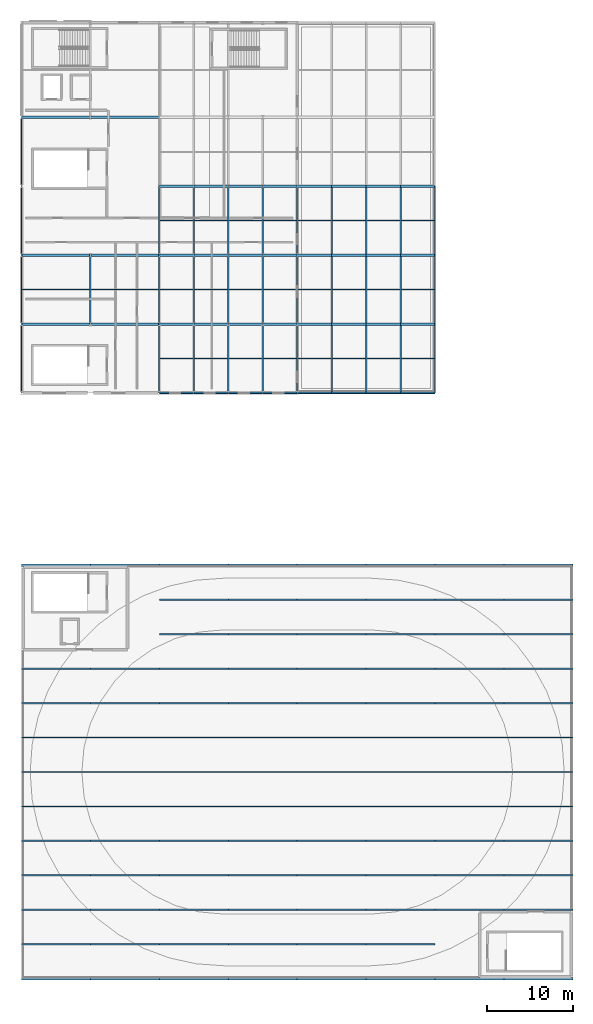
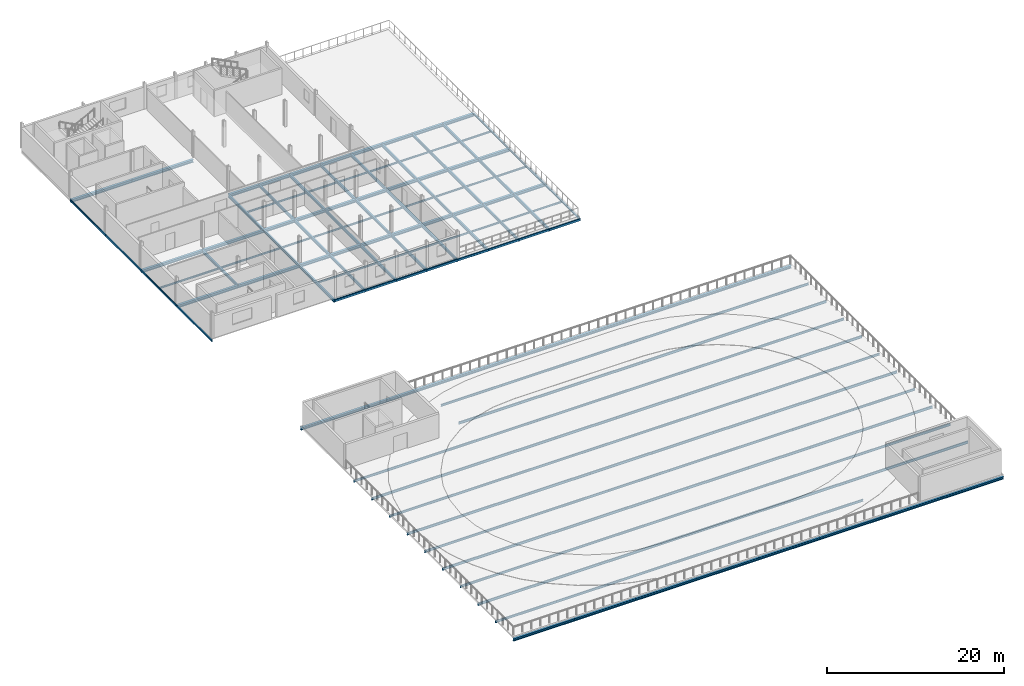
# One storey, part 3 of 11: 194 beams.
"""IFC4 building model written with IfcOpenShell, lengths in metres."""

from ifc_helpers import new_model, si_unit, derived_unit, direction, frame, origin, origin_2d, place, context, subcontext, project, spatial, hollow_rectangle, i_section, extrude, material, material_profile, profile_set, type_object, element, save


model = new_model("IFC4")

# Units and contexts
model_context = context("Model", 3, precision=1e-05, world=origin(), true_north=direction((0.0, 1.0)))
body_context = subcontext(model_context, "Body", "Model", "MODEL_VIEW")
ifc_project = project(units=[si_unit("LENGTHUNIT", "METRE"), si_unit("AREAUNIT", "SQUARE_METRE"), si_unit("VOLUMEUNIT", "CUBIC_METRE"), si_unit("PLANEANGLEUNIT", "RADIAN"), si_unit("MASSUNIT", "GRAM", prefix="KILO"), derived_unit("THERMALTRANSMITTANCEUNIT", [(si_unit("POWERUNIT", "WATT"), 1), (si_unit("LENGTHUNIT", "METRE"), -2), (si_unit("THERMODYNAMICTEMPERATUREUNIT", "KELVIN"), -1)])], contexts=[model_context])

# Site, building, storey
site_placement = place(None, origin())
site = spatial("IfcSite", under=ifc_project, at=site_placement, CompositionType="ELEMENT")
building_placement = place(site_placement, origin())
building = spatial("IfcBuilding", under=site, at=building_placement, Name="Keldorne Ridge Multi-Sports Centre", CompositionType="ELEMENT")
storey_placement = place(building_placement, frame((0.0, 0.0, 18.60009765625)))
storey = spatial("IfcBuildingStorey", under=building, at=storey_placement, Name="L04", CompositionType="ELEMENT", Elevation=18.60009765625)

# Beams
ifc_material = material(Name="Steel S355", Category="steel")
ifc_material_profile_1 = material_profile(ifc_material, i_section(OverallWidth=0.179931640625, OverallDepth=0.39990234375, WebThickness=0.008544921875, FlangeThickness=0.013427734375, FilletRadius=0.02099609375, at=origin_2d()), Name="IPE 400")
ifc_profile_set_1 = profile_set([ifc_material_profile_1], Name="Steel S355")
beam_type_1 = type_object("IfcBeamType", Name="BM-B-04", PredefinedType="BEAM", material=ifc_profile_set_1)
for number, where, z_axis, x_axis, name in (
    (1, (112.0, 82.0, -0.52001953125), (0.0, 1.0, 0.0), (-1.0, 0.0, 0.0), "L04 primary girder 112.2"),
    (2, (120.0, 74.0, -0.52001953125), (0.0, 1.0, 0.0), (-1.0, 0.0, 0.0), "L04 primary girder 120.1"),
    (3, (120.0, 82.0, -0.52001953125), (0.0, 1.0, 0.0), (-1.0, 0.0, 0.0), "L04 primary girder 120.2"),
    (4, (120.0, 90.0, -0.52001953125), (0.0, 1.0, 0.0), (-1.0, 0.0, 0.0), "L04 primary girder 120.3"),
    (5, (124.0, 74.0, -0.52001953125), (0.0, 1.0, 0.0), (-1.0, 0.0, 0.0), "L04 primary girder 124.1"),
    (6, (124.0, 82.0, -0.52001953125), (0.0, 1.0, 0.0), (-1.0, 0.0, 0.0), "L04 primary girder 124.2"),
    (7, (124.0, 90.0, -0.52001953125), (0.0, 1.0, 0.0), (-1.0, 0.0, 0.0), "L04 primary girder 124.3"),
    (8, (128.0, 74.0, -0.52001953125), (0.0, 1.0, 0.0), (-1.0, 0.0, 0.0), "L04 primary girder 128.1"),
    (9, (128.0, 82.0, -0.52001953125), (0.0, 1.0, 0.0), (-1.0, 0.0, 0.0), "L04 primary girder 128.2"),
    (10, (128.0, 90.0, -0.52001953125), (0.0, 1.0, 0.0), (-1.0, 0.0, 0.0), "L04 primary girder 128.3"),
    (11, (132.0, 74.0, -0.52001953125), (0.0, 1.0, 0.0), (-1.0, 0.0, 0.0), "L04 primary girder 132.1"),
    (12, (132.0, 82.0, -0.52001953125), (0.0, 1.0, 0.0), (-1.0, 0.0, 0.0), "L04 primary girder 132.2"),
    (13, (132.0, 90.0, -0.52001953125), (0.0, 1.0, 0.0), (-1.0, 0.0, 0.0), "L04 primary girder 132.3"),
    (14, (136.0, 74.0, -0.52001953125), (0.0, 1.0, 0.0), (-1.0, 0.0, 0.0), "L04 primary girder 136.1"),
    (15, (136.0, 82.0, -0.52001953125), (0.0, 1.0, 0.0), (-1.0, 0.0, 0.0), "L04 primary girder 136.2"),
    (16, (136.0, 90.0, -0.52001953125), (0.0, 1.0, 0.0), (-1.0, 0.0, 0.0), "L04 primary girder 136.3"),
    (17, (140.0, 74.0, -0.52001953125), (0.0, 1.0, 0.0), (-1.0, 0.0, 0.0), "L04 primary girder 140.1"),
    (18, (140.0, 82.0, -0.52001953125), (0.0, 1.0, 0.0), (-1.0, 0.0, 0.0), "L04 primary girder 140.2"),
    (19, (140.0, 90.0, -0.52001953125), (0.0, 1.0, 0.0), (-1.0, 0.0, 0.0), "L04 primary girder 140.3"),
    (20, (144.0, 74.0, -0.52001953125), (0.0, 1.0, 0.0), (-1.0, 0.0, 0.0), "L04 primary girder 144.1"),
    (21, (144.0, 82.0, -0.52001953125), (0.0, 1.0, 0.0), (-1.0, 0.0, 0.0), "L04 primary girder 144.2"),
    (22, (144.0, 90.0, -0.52001953125), (0.0, 1.0, 0.0), (-1.0, 0.0, 0.0), "L04 primary girder 144.3"),
    (23, (148.0, 74.0, -0.52001953125), (0.0, 1.0, 0.0), (-1.0, 0.0, 0.0), "L04 primary girder 148.1"),
    (24, (148.0, 82.0, -0.52001953125), (0.0, 1.0, 0.0), (-1.0, 0.0, 0.0), "L04 primary girder 148.2"),
    (25, (148.0, 90.0, -0.52001953125), (0.0, 1.0, 0.0), (-1.0, 0.0, 0.0), "L04 primary girder 148.3"),
):
    element("IfcBeam", number, at=place(storey_placement, frame(where, z_axis=z_axis, x_axis=x_axis)), inside=storey, type_object=beam_type_1, Name=name, PredefinedType="BEAM", context=body_context, shape_type="SweptSolid", body=[
        extrude(i_section(OverallWidth=0.179931640625, OverallDepth=0.39990234375, WebThickness=0.008544921875, FlangeThickness=0.013427734375, FilletRadius=0.02099609375, at=origin_2d()), origin(), (0.0, 0.0, 1.0), 8.0),
    ])
ifc_material_profile_2 = material_profile(ifc_material, i_section(OverallWidth=0.300048828125, OverallDepth=0.389892578125, WebThickness=0.010986328125, FlangeThickness=0.01904296875, FilletRadius=0.027099609375, at=origin_2d()), Name="HEA 400")
ifc_profile_set_2 = profile_set([ifc_material_profile_2], Name="Steel S355")
beam_type_2 = type_object("IfcBeamType", Name="BM-B-10", PredefinedType="BEAM", material=ifc_profile_set_2)
for number, where, z_axis, x_axis, name in (
    (26, (104.0, 82.0, -0.51513671875), (1.0, 0.0, 0.0), (0.0, 1.0, 0.0), "L04 primary beam 1.82"),
    (27, (112.0, 82.0, -0.51513671875), (1.0, 0.0, 0.0), (0.0, 1.0, 0.0), "L04 primary beam 2.82"),
):
    element("IfcBeam", number, at=place(storey_placement, frame(where, z_axis=z_axis, x_axis=x_axis)), inside=storey, type_object=beam_type_2, Name=name, PredefinedType="BEAM", context=body_context, shape_type="SweptSolid", body=[
        extrude(i_section(OverallWidth=0.300048828125, OverallDepth=0.389892578125, WebThickness=0.010986328125, FlangeThickness=0.01904296875, FilletRadius=0.027099609375, at=origin_2d()), origin(), (0.0, 0.0, 1.0), 8.0),
    ])
for number, where, z_axis, x_axis, name in (
    (28, (120.0, 82.0, -0.51513671875), (1.0, 0.0, 0.0), (0.0, 1.0, 0.0), "L04 primary beam 3.82"),
    (29, (124.0, 82.0, -0.51513671875), (1.0, 0.0, 0.0), (0.0, 1.0, 0.0), "L04 primary beam 4.82"),
    (30, (128.0, 82.0, -0.51513671875), (1.0, 0.0, 0.0), (0.0, 1.0, 0.0), "L04 primary beam 5.82"),
    (31, (132.0, 82.0, -0.51513671875), (1.0, 0.0, 0.0), (0.0, 1.0, 0.0), "L04 primary beam 6.82"),
    (32, (136.0, 82.0, -0.51513671875), (1.0, 0.0, 0.0), (0.0, 1.0, 0.0), "L04 primary beam 7.82"),
    (33, (140.0, 82.0, -0.51513671875), (1.0, 0.0, 0.0), (0.0, 1.0, 0.0), "L04 primary beam 8.82"),
    (34, (144.0, 82.0, -0.51513671875), (1.0, 0.0, 0.0), (0.0, 1.0, 0.0), "L04 primary beam 9.82"),
    (35, (148.0, 82.0, -0.51513671875), (1.0, 0.0, 0.0), (0.0, 1.0, 0.0), "L04 primary beam 10.82"),
):
    element("IfcBeam", number, at=place(storey_placement, frame(where, z_axis=z_axis, x_axis=x_axis)), inside=storey, type_object=beam_type_2, Name=name, PredefinedType="BEAM", context=body_context, shape_type="SweptSolid", body=[
        extrude(i_section(OverallWidth=0.300048828125, OverallDepth=0.389892578125, WebThickness=0.010986328125, FlangeThickness=0.01904296875, FilletRadius=0.027099609375, at=origin_2d()), origin(), (0.0, 0.0, 1.0), 4.0),
    ])
for number, where, z_axis, x_axis, name in (
    (36, (104.0, 90.0, -0.51513671875), (1.0, 0.0, 0.0), (0.0, 1.0, 0.0), "L04 primary beam 1.90"),
    (37, (112.0, 90.0, -0.51513671875), (1.0, 0.0, 0.0), (0.0, 1.0, 0.0), "L04 primary beam 2.90"),
):
    element("IfcBeam", number, at=place(storey_placement, frame(where, z_axis=z_axis, x_axis=x_axis)), inside=storey, type_object=beam_type_2, Name=name, PredefinedType="BEAM", context=body_context, shape_type="SweptSolid", body=[
        extrude(i_section(OverallWidth=0.300048828125, OverallDepth=0.389892578125, WebThickness=0.010986328125, FlangeThickness=0.01904296875, FilletRadius=0.027099609375, at=origin_2d()), origin(), (0.0, 0.0, 1.0), 8.0),
    ])
for number, where, z_axis, x_axis, name in (
    (38, (120.0, 90.0, -0.51513671875), (1.0, 0.0, 0.0), (0.0, 1.0, 0.0), "L04 primary beam 3.90"),
    (39, (124.0, 90.0, -0.51513671875), (1.0, 0.0, 0.0), (0.0, 1.0, 0.0), "L04 primary beam 4.90"),
    (40, (128.0, 90.0, -0.51513671875), (1.0, 0.0, 0.0), (0.0, 1.0, 0.0), "L04 primary beam 5.90"),
    (41, (132.0, 90.0, -0.51513671875), (1.0, 0.0, 0.0), (0.0, 1.0, 0.0), "L04 primary beam 6.90"),
    (42, (136.0, 90.0, -0.51513671875), (1.0, 0.0, 0.0), (0.0, 1.0, 0.0), "L04 primary beam 7.90"),
    (43, (140.0, 90.0, -0.51513671875), (1.0, 0.0, 0.0), (0.0, 1.0, 0.0), "L04 primary beam 8.90"),
    (44, (144.0, 90.0, -0.51513671875), (1.0, 0.0, 0.0), (0.0, 1.0, 0.0), "L04 primary beam 9.90"),
    (45, (148.0, 90.0, -0.51513671875), (1.0, 0.0, 0.0), (0.0, 1.0, 0.0), "L04 primary beam 10.90"),
    (46, (120.0, 98.0, -0.51513671875), (1.0, 0.0, 0.0), (0.0, 1.0, 0.0), "L04 primary beam 3.98"),
    (47, (124.0, 98.0, -0.51513671875), (1.0, 0.0, 0.0), (0.0, 1.0, 0.0), "L04 primary beam 4.98"),
    (48, (128.0, 98.0, -0.51513671875), (1.0, 0.0, 0.0), (0.0, 1.0, 0.0), "L04 primary beam 5.98"),
    (49, (132.0, 98.0, -0.51513671875), (1.0, 0.0, 0.0), (0.0, 1.0, 0.0), "L04 primary beam 6.98"),
    (50, (136.0, 98.0, -0.51513671875), (1.0, 0.0, 0.0), (0.0, 1.0, 0.0), "L04 primary beam 7.98"),
    (51, (140.0, 98.0, -0.51513671875), (1.0, 0.0, 0.0), (0.0, 1.0, 0.0), "L04 primary beam 8.98"),
    (52, (144.0, 98.0, -0.51513671875), (1.0, 0.0, 0.0), (0.0, 1.0, 0.0), "L04 primary beam 9.98"),
    (53, (148.0, 98.0, -0.51513671875), (1.0, 0.0, 0.0), (0.0, 1.0, 0.0), "L04 primary beam 10.98"),
):
    element("IfcBeam", number, at=place(storey_placement, frame(where, z_axis=z_axis, x_axis=x_axis)), inside=storey, type_object=beam_type_2, Name=name, PredefinedType="BEAM", context=body_context, shape_type="SweptSolid", body=[
        extrude(i_section(OverallWidth=0.300048828125, OverallDepth=0.389892578125, WebThickness=0.010986328125, FlangeThickness=0.01904296875, FilletRadius=0.027099609375, at=origin_2d()), origin(), (0.0, 0.0, 1.0), 4.0),
    ])
for number, where, z_axis, x_axis, name in (
    (54, (104.0, 106.0, -0.51513671875), (1.0, 0.0, 0.0), (0.0, 1.0, 0.0), "L04 primary beam 1.106"),
    (55, (112.0, 106.0, -0.51513671875), (1.0, 0.0, 0.0), (0.0, 1.0, 0.0), "L04 primary beam 2.106"),
):
    element("IfcBeam", number, at=place(storey_placement, frame(where, z_axis=z_axis, x_axis=x_axis)), inside=storey, type_object=beam_type_2, Name=name, PredefinedType="BEAM", context=body_context, shape_type="SweptSolid", body=[
        extrude(i_section(OverallWidth=0.300048828125, OverallDepth=0.389892578125, WebThickness=0.010986328125, FlangeThickness=0.01904296875, FilletRadius=0.027099609375, at=origin_2d()), origin(), (0.0, 0.0, 1.0), 8.0),
    ])
ifc_material_profile_3 = material_profile(ifc_material, i_section(OverallWidth=0.159912109375, OverallDepth=0.330078125, WebThickness=0.007568359375, FlangeThickness=0.011474609375, FilletRadius=0.01806640625, at=origin_2d()), Name="IPE 330")
ifc_profile_set_3 = profile_set([ifc_material_profile_3], Name="Steel S355")
beam_type_3 = type_object("IfcBeamType", Name="BM-J-01", PredefinedType="JOIST", material=ifc_profile_set_3)
for number, where, z_axis, x_axis, name in (
    (56, (104.0, 14.0, -0.405029296875), (1.0, 0.0, 0.0), (0.0, 1.0, 0.0), "L04 Stacked Courts beam 1.3"),
    (57, (104.0, 22.0, -0.405029296875), (1.0, 0.0, 0.0), (0.0, 1.0, 0.0), "L04 Stacked Courts beam 1.5"),
    (58, (104.0, 30.0, -0.405029296875), (1.0, 0.0, 0.0), (0.0, 1.0, 0.0), "L04 Stacked Courts beam 1.7"),
    (59, (104.0, 38.0, -0.405029296875), (1.0, 0.0, 0.0), (0.0, 1.0, 0.0), "L04 Stacked Courts beam 1.9"),
    (60, (112.0, 14.0, -0.405029296875), (1.0, 0.0, 0.0), (0.0, 1.0, 0.0), "L04 Stacked Courts beam 2.3"),
    (61, (112.0, 22.0, -0.405029296875), (1.0, 0.0, 0.0), (0.0, 1.0, 0.0), "L04 Stacked Courts beam 2.5"),
    (62, (112.0, 30.0, -0.405029296875), (1.0, 0.0, 0.0), (0.0, 1.0, 0.0), "L04 Stacked Courts beam 2.7"),
    (63, (112.0, 38.0, -0.405029296875), (1.0, 0.0, 0.0), (0.0, 1.0, 0.0), "L04 Stacked Courts beam 2.9"),
    (64, (120.0, 14.0, -0.405029296875), (1.0, 0.0, 0.0), (0.0, 1.0, 0.0), "L04 Stacked Courts beam 3.3"),
    (65, (120.0, 22.0, -0.405029296875), (1.0, 0.0, 0.0), (0.0, 1.0, 0.0), "L04 Stacked Courts beam 3.5"),
    (66, (120.0, 30.0, -0.405029296875), (1.0, 0.0, 0.0), (0.0, 1.0, 0.0), "L04 Stacked Courts beam 3.7"),
    (67, (120.0, 38.0, -0.405029296875), (1.0, 0.0, 0.0), (0.0, 1.0, 0.0), "L04 Stacked Courts beam 3.9"),
    (68, (120.0, 46.0, -0.405029296875), (1.0, 0.0, 0.0), (0.0, 1.0, 0.0), "L04 Stacked Courts beam 3.11"),
    (69, (128.0, 14.0, -0.405029296875), (1.0, 0.0, 0.0), (0.0, 1.0, 0.0), "L04 Stacked Courts beam 4.3"),
    (70, (128.0, 22.0, -0.405029296875), (1.0, 0.0, 0.0), (0.0, 1.0, 0.0), "L04 Stacked Courts beam 4.5"),
    (71, (128.0, 30.0, -0.405029296875), (1.0, 0.0, 0.0), (0.0, 1.0, 0.0), "L04 Stacked Courts beam 4.7"),
    (72, (128.0, 38.0, -0.405029296875), (1.0, 0.0, 0.0), (0.0, 1.0, 0.0), "L04 Stacked Courts beam 4.9"),
    (73, (128.0, 46.0, -0.405029296875), (1.0, 0.0, 0.0), (0.0, 1.0, 0.0), "L04 Stacked Courts beam 4.11"),
    (74, (136.0, 14.0, -0.405029296875), (1.0, 0.0, 0.0), (0.0, 1.0, 0.0), "L04 Stacked Courts beam 5.3"),
    (75, (136.0, 22.0, -0.405029296875), (1.0, 0.0, 0.0), (0.0, 1.0, 0.0), "L04 Stacked Courts beam 5.5"),
    (76, (136.0, 30.0, -0.405029296875), (1.0, 0.0, 0.0), (0.0, 1.0, 0.0), "L04 Stacked Courts beam 5.7"),
    (77, (136.0, 38.0, -0.405029296875), (1.0, 0.0, 0.0), (0.0, 1.0, 0.0), "L04 Stacked Courts beam 5.9"),
    (78, (136.0, 46.0, -0.405029296875), (1.0, 0.0, 0.0), (0.0, 1.0, 0.0), "L04 Stacked Courts beam 5.11"),
    (79, (144.0, 14.0, -0.405029296875), (1.0, 0.0, 0.0), (0.0, 1.0, 0.0), "L04 Stacked Courts beam 6.3"),
    (80, (144.0, 22.0, -0.405029296875), (1.0, 0.0, 0.0), (0.0, 1.0, 0.0), "L04 Stacked Courts beam 6.5"),
    (81, (144.0, 30.0, -0.405029296875), (1.0, 0.0, 0.0), (0.0, 1.0, 0.0), "L04 Stacked Courts beam 6.7"),
    (82, (144.0, 38.0, -0.405029296875), (1.0, 0.0, 0.0), (0.0, 1.0, 0.0), "L04 Stacked Courts beam 6.9"),
    (83, (144.0, 46.0, -0.405029296875), (1.0, 0.0, 0.0), (0.0, 1.0, 0.0), "L04 Stacked Courts beam 6.11"),
    (84, (152.0, 14.0, -0.405029296875), (1.0, 0.0, 0.0), (0.0, 1.0, 0.0), "L04 Stacked Courts beam 7.3"),
    (85, (152.0, 22.0, -0.405029296875), (1.0, 0.0, 0.0), (0.0, 1.0, 0.0), "L04 Stacked Courts beam 7.5"),
    (86, (152.0, 30.0, -0.405029296875), (1.0, 0.0, 0.0), (0.0, 1.0, 0.0), "L04 Stacked Courts beam 7.7"),
    (87, (152.0, 38.0, -0.405029296875), (1.0, 0.0, 0.0), (0.0, 1.0, 0.0), "L04 Stacked Courts beam 7.9"),
    (88, (152.0, 46.0, -0.405029296875), (1.0, 0.0, 0.0), (0.0, 1.0, 0.0), "L04 Stacked Courts beam 7.11"),
    (89, (160.0, 14.0, -0.405029296875), (1.0, 0.0, 0.0), (0.0, 1.0, 0.0), "L04 Stacked Courts beam 8.3"),
    (90, (160.0, 22.0, -0.405029296875), (1.0, 0.0, 0.0), (0.0, 1.0, 0.0), "L04 Stacked Courts beam 8.5"),
    (91, (160.0, 30.0, -0.405029296875), (1.0, 0.0, 0.0), (0.0, 1.0, 0.0), "L04 Stacked Courts beam 8.7"),
    (92, (160.0, 38.0, -0.405029296875), (1.0, 0.0, 0.0), (0.0, 1.0, 0.0), "L04 Stacked Courts beam 8.9"),
    (93, (160.0, 46.0, -0.405029296875), (1.0, 0.0, 0.0), (0.0, 1.0, 0.0), "L04 Stacked Courts beam 8.11"),
):
    element("IfcBeam", number, at=place(storey_placement, frame(where, z_axis=z_axis, x_axis=x_axis)), inside=storey, type_object=beam_type_3, Name=name, PredefinedType="JOIST", context=body_context, shape_type="SweptSolid", body=[
        extrude(i_section(OverallWidth=0.159912109375, OverallDepth=0.330078125, WebThickness=0.007568359375, FlangeThickness=0.011474609375, FilletRadius=0.01806640625, at=origin_2d()), origin(), (0.0, 0.0, 1.0), 8.0),
    ])
ifc_material_profile_4 = material_profile(ifc_material, i_section(OverallWidth=0.14990234375, OverallDepth=0.300048828125, WebThickness=0.007080078125, FlangeThickness=0.0107421875, FilletRadius=0.014892578125, at=origin_2d()), Name="IPE 300")
ifc_profile_set_4 = profile_set([ifc_material_profile_4], Name="Steel S355")
beam_type_4 = type_object("IfcBeamType", Name="BM-J-02", PredefinedType="JOIST", material=ifc_profile_set_4)
for number, where, z_axis, x_axis, name in (
    (94, (104.0, 10.0, -0.39013671875), (1.0, 0.0, 0.0), (0.0, 1.0, 0.0), "L04 Stacked Courts beam 1.2"),
    (95, (104.0, 18.0, -0.39013671875), (1.0, 0.0, 0.0), (0.0, 1.0, 0.0), "L04 Stacked Courts beam 1.4"),
    (96, (104.0, 26.0, -0.39013671875), (1.0, 0.0, 0.0), (0.0, 1.0, 0.0), "L04 Stacked Courts beam 1.6"),
    (97, (104.0, 34.0, -0.39013671875), (1.0, 0.0, 0.0), (0.0, 1.0, 0.0), "L04 Stacked Courts beam 1.8"),
    (98, (104.0, 42.0, -0.39013671875), (1.0, 0.0, 0.0), (0.0, 1.0, 0.0), "L04 Stacked Courts beam 1.10"),
    (99, (112.0, 10.0, -0.39013671875), (1.0, 0.0, 0.0), (0.0, 1.0, 0.0), "L04 Stacked Courts beam 2.2"),
    (100, (112.0, 18.0, -0.39013671875), (1.0, 0.0, 0.0), (0.0, 1.0, 0.0), "L04 Stacked Courts beam 2.4"),
    (101, (112.0, 26.0, -0.39013671875), (1.0, 0.0, 0.0), (0.0, 1.0, 0.0), "L04 Stacked Courts beam 2.6"),
    (102, (112.0, 34.0, -0.39013671875), (1.0, 0.0, 0.0), (0.0, 1.0, 0.0), "L04 Stacked Courts beam 2.8"),
    (103, (112.0, 42.0, -0.39013671875), (1.0, 0.0, 0.0), (0.0, 1.0, 0.0), "L04 Stacked Courts beam 2.10"),
    (104, (120.0, 10.0, -0.39013671875), (1.0, 0.0, 0.0), (0.0, 1.0, 0.0), "L04 Stacked Courts beam 3.2"),
    (105, (120.0, 18.0, -0.39013671875), (1.0, 0.0, 0.0), (0.0, 1.0, 0.0), "L04 Stacked Courts beam 3.4"),
    (106, (120.0, 26.0, -0.39013671875), (1.0, 0.0, 0.0), (0.0, 1.0, 0.0), "L04 Stacked Courts beam 3.6"),
    (107, (120.0, 34.0, -0.39013671875), (1.0, 0.0, 0.0), (0.0, 1.0, 0.0), "L04 Stacked Courts beam 3.8"),
    (108, (120.0, 42.0, -0.39013671875), (1.0, 0.0, 0.0), (0.0, 1.0, 0.0), "L04 Stacked Courts beam 3.10"),
    (109, (120.0, 50.0, -0.39013671875), (1.0, 0.0, 0.0), (0.0, 1.0, 0.0), "L04 Stacked Courts beam 3.12"),
    (110, (128.0, 10.0, -0.39013671875), (1.0, 0.0, 0.0), (0.0, 1.0, 0.0), "L04 Stacked Courts beam 4.2"),
    (111, (128.0, 18.0, -0.39013671875), (1.0, 0.0, 0.0), (0.0, 1.0, 0.0), "L04 Stacked Courts beam 4.4"),
    (112, (128.0, 26.0, -0.39013671875), (1.0, 0.0, 0.0), (0.0, 1.0, 0.0), "L04 Stacked Courts beam 4.6"),
    (113, (128.0, 34.0, -0.39013671875), (1.0, 0.0, 0.0), (0.0, 1.0, 0.0), "L04 Stacked Courts beam 4.8"),
    (114, (128.0, 42.0, -0.39013671875), (1.0, 0.0, 0.0), (0.0, 1.0, 0.0), "L04 Stacked Courts beam 4.10"),
    (115, (128.0, 50.0, -0.39013671875), (1.0, 0.0, 0.0), (0.0, 1.0, 0.0), "L04 Stacked Courts beam 4.12"),
    (116, (136.0, 10.0, -0.39013671875), (1.0, 0.0, 0.0), (0.0, 1.0, 0.0), "L04 Stacked Courts beam 5.2"),
    (117, (136.0, 18.0, -0.39013671875), (1.0, 0.0, 0.0), (0.0, 1.0, 0.0), "L04 Stacked Courts beam 5.4"),
    (118, (136.0, 26.0, -0.39013671875), (1.0, 0.0, 0.0), (0.0, 1.0, 0.0), "L04 Stacked Courts beam 5.6"),
    (119, (136.0, 34.0, -0.39013671875), (1.0, 0.0, 0.0), (0.0, 1.0, 0.0), "L04 Stacked Courts beam 5.8"),
    (120, (136.0, 42.0, -0.39013671875), (1.0, 0.0, 0.0), (0.0, 1.0, 0.0), "L04 Stacked Courts beam 5.10"),
    (121, (136.0, 50.0, -0.39013671875), (1.0, 0.0, 0.0), (0.0, 1.0, 0.0), "L04 Stacked Courts beam 5.12"),
    (122, (144.0, 10.0, -0.39013671875), (1.0, 0.0, 0.0), (0.0, 1.0, 0.0), "L04 Stacked Courts beam 6.2"),
    (123, (144.0, 18.0, -0.39013671875), (1.0, 0.0, 0.0), (0.0, 1.0, 0.0), "L04 Stacked Courts beam 6.4"),
    (124, (144.0, 26.0, -0.39013671875), (1.0, 0.0, 0.0), (0.0, 1.0, 0.0), "L04 Stacked Courts beam 6.6"),
    (125, (144.0, 34.0, -0.39013671875), (1.0, 0.0, 0.0), (0.0, 1.0, 0.0), "L04 Stacked Courts beam 6.8"),
    (126, (144.0, 42.0, -0.39013671875), (1.0, 0.0, 0.0), (0.0, 1.0, 0.0), "L04 Stacked Courts beam 6.10"),
    (127, (144.0, 50.0, -0.39013671875), (1.0, 0.0, 0.0), (0.0, 1.0, 0.0), "L04 Stacked Courts beam 6.12"),
    (128, (152.0, 18.0, -0.39013671875), (1.0, 0.0, 0.0), (0.0, 1.0, 0.0), "L04 Stacked Courts beam 7.4"),
    (129, (152.0, 26.0, -0.39013671875), (1.0, 0.0, 0.0), (0.0, 1.0, 0.0), "L04 Stacked Courts beam 7.6"),
    (130, (152.0, 34.0, -0.39013671875), (1.0, 0.0, 0.0), (0.0, 1.0, 0.0), "L04 Stacked Courts beam 7.8"),
    (131, (152.0, 42.0, -0.39013671875), (1.0, 0.0, 0.0), (0.0, 1.0, 0.0), "L04 Stacked Courts beam 7.10"),
    (132, (152.0, 50.0, -0.39013671875), (1.0, 0.0, 0.0), (0.0, 1.0, 0.0), "L04 Stacked Courts beam 7.12"),
    (133, (160.0, 18.0, -0.39013671875), (1.0, 0.0, 0.0), (0.0, 1.0, 0.0), "L04 Stacked Courts beam 8.4"),
    (134, (160.0, 26.0, -0.39013671875), (1.0, 0.0, 0.0), (0.0, 1.0, 0.0), "L04 Stacked Courts beam 8.6"),
    (135, (160.0, 34.0, -0.39013671875), (1.0, 0.0, 0.0), (0.0, 1.0, 0.0), "L04 Stacked Courts beam 8.8"),
    (136, (160.0, 42.0, -0.39013671875), (1.0, 0.0, 0.0), (0.0, 1.0, 0.0), "L04 Stacked Courts beam 8.10"),
    (137, (160.0, 50.0, -0.39013671875), (1.0, 0.0, 0.0), (0.0, 1.0, 0.0), "L04 Stacked Courts beam 8.12"),
):
    element("IfcBeam", number, at=place(storey_placement, frame(where, z_axis=z_axis, x_axis=x_axis)), inside=storey, type_object=beam_type_4, Name=name, PredefinedType="JOIST", context=body_context, shape_type="SweptSolid", body=[
        extrude(i_section(OverallWidth=0.14990234375, OverallDepth=0.300048828125, WebThickness=0.007080078125, FlangeThickness=0.0107421875, FilletRadius=0.014892578125, at=origin_2d()), origin(), (0.0, 0.0, 1.0), 8.0),
    ])
ifc_material_profile_5 = material_profile(ifc_material, i_section(OverallWidth=0.1201171875, OverallDepth=0.239990234375, WebThickness=0.006103515625, FlangeThickness=0.009765625, FilletRadius=0.014892578125, at=origin_2d()), Name="IPE 240")
ifc_profile_set_5 = profile_set([ifc_material_profile_5], Name="Steel S355")
beam_type_5 = type_object("IfcBeamType", Name="BM-J-04", PredefinedType="JOIST", material=ifc_profile_set_5)
beam_1_placement = place(storey_placement, frame((104.074951171875, 86.0, -0.440185546875), z_axis=(1.0, 0.0, 0.0), x_axis=(0.0, 1.0, 0.0)))
element("IfcBeam", 138, at=beam_1_placement, inside=storey, type_object=beam_type_5, Name="L04 secondary joist 1.2", PredefinedType="JOIST", context=body_context, shape_type="SweptSolid", body=[
    extrude(i_section(OverallWidth=0.1201171875, OverallDepth=0.239990234375, WebThickness=0.006103515625, FlangeThickness=0.009765625, FilletRadius=0.014892578125, at=origin_2d()), origin(), (0.0, 0.0, 1.0), 7.8349609375),
])
beam_2_placement = place(storey_placement, frame((112.090087890625, 86.0, -0.440185546875), z_axis=(1.0, 0.0, 0.0), x_axis=(0.0, 1.0, 0.0)))
element("IfcBeam", 139, at=beam_2_placement, inside=storey, type_object=beam_type_5, Name="L04 secondary joist 2.2", PredefinedType="JOIST", context=body_context, shape_type="SweptSolid", body=[
    extrude(i_section(OverallWidth=0.1201171875, OverallDepth=0.239990234375, WebThickness=0.006103515625, FlangeThickness=0.009765625, FilletRadius=0.014892578125, at=origin_2d()), origin(), (0.0, 0.0, 1.0), 7.81982421875),
])
for number, where, z_axis, x_axis, name in (
    (140, (120.090087890625, 78.0, -0.440185546875), (1.0, 0.0, 0.0), (0.0, 1.0, 0.0), "L04 secondary joist 3.1"),
    (141, (120.090087890625, 86.0, -0.440185546875), (1.0, 0.0, 0.0), (0.0, 1.0, 0.0), "L04 secondary joist 3.2"),
    (142, (120.090087890625, 94.0, -0.440185546875), (1.0, 0.0, 0.0), (0.0, 1.0, 0.0), "L04 secondary joist 3.3"),
    (143, (124.090087890625, 78.0, -0.440185546875), (1.0, 0.0, 0.0), (0.0, 1.0, 0.0), "L04 secondary joist 4.1"),
    (144, (124.090087890625, 86.0, -0.440185546875), (1.0, 0.0, 0.0), (0.0, 1.0, 0.0), "L04 secondary joist 4.2"),
    (145, (124.090087890625, 94.0, -0.440185546875), (1.0, 0.0, 0.0), (0.0, 1.0, 0.0), "L04 secondary joist 4.3"),
    (146, (128.090087890625, 78.0, -0.440185546875), (1.0, 0.0, 0.0), (0.0, 1.0, 0.0), "L04 secondary joist 5.1"),
    (147, (128.090087890625, 86.0, -0.440185546875), (1.0, 0.0, 0.0), (0.0, 1.0, 0.0), "L04 secondary joist 5.2"),
    (148, (128.090087890625, 94.0, -0.440185546875), (1.0, 0.0, 0.0), (0.0, 1.0, 0.0), "L04 secondary joist 5.3"),
    (149, (132.090087890625, 78.0, -0.440185546875), (1.0, 0.0, 0.0), (0.0, 1.0, 0.0), "L04 secondary joist 6.1"),
    (150, (132.090087890625, 86.0, -0.440185546875), (1.0, 0.0, 0.0), (0.0, 1.0, 0.0), "L04 secondary joist 6.2"),
    (151, (132.090087890625, 94.0, -0.440185546875), (1.0, 0.0, 0.0), (0.0, 1.0, 0.0), "L04 secondary joist 6.3"),
    (152, (136.090087890625, 78.0, -0.440185546875), (1.0, 0.0, 0.0), (0.0, 1.0, 0.0), "L04 secondary joist 7.1"),
    (153, (136.090087890625, 86.0, -0.440185546875), (1.0, 0.0, 0.0), (0.0, 1.0, 0.0), "L04 secondary joist 7.2"),
    (154, (136.090087890625, 94.0, -0.440185546875), (1.0, 0.0, 0.0), (0.0, 1.0, 0.0), "L04 secondary joist 7.3"),
    (155, (140.090087890625, 78.0, -0.440185546875), (1.0, 0.0, 0.0), (0.0, 1.0, 0.0), "L04 secondary joist 8.1"),
    (156, (140.090087890625, 86.0, -0.440185546875), (1.0, 0.0, 0.0), (0.0, 1.0, 0.0), "L04 secondary joist 8.2"),
    (157, (140.090087890625, 94.0, -0.440185546875), (1.0, 0.0, 0.0), (0.0, 1.0, 0.0), "L04 secondary joist 8.3"),
    (158, (144.090087890625, 78.0, -0.440185546875), (1.0, 0.0, 0.0), (0.0, 1.0, 0.0), "L04 secondary joist 9.1"),
    (159, (144.090087890625, 86.0, -0.440185546875), (1.0, 0.0, 0.0), (0.0, 1.0, 0.0), "L04 secondary joist 9.2"),
    (160, (144.090087890625, 94.0, -0.440185546875), (1.0, 0.0, 0.0), (0.0, 1.0, 0.0), "L04 secondary joist 9.3"),
):
    element("IfcBeam", number, at=place(storey_placement, frame(where, z_axis=z_axis, x_axis=x_axis)), inside=storey, type_object=beam_type_5, Name=name, PredefinedType="JOIST", context=body_context, shape_type="SweptSolid", body=[
        extrude(i_section(OverallWidth=0.1201171875, OverallDepth=0.239990234375, WebThickness=0.006103515625, FlangeThickness=0.009765625, FilletRadius=0.014892578125, at=origin_2d()), origin(), (0.0, 0.0, 1.0), 3.81982421875),
    ])
for number, where, z_axis, x_axis, name in (
    (161, (148.090087890625, 78.0, -0.440185546875), (1.0, 0.0, 0.0), (0.0, 1.0, 0.0), "L04 secondary joist 10.1"),
    (162, (148.090087890625, 86.0, -0.440185546875), (1.0, 0.0, 0.0), (0.0, 1.0, 0.0), "L04 secondary joist 10.2"),
    (163, (148.090087890625, 94.0, -0.440185546875), (1.0, 0.0, 0.0), (0.0, 1.0, 0.0), "L04 secondary joist 10.3"),
):
    element("IfcBeam", number, at=place(storey_placement, frame(where, z_axis=z_axis, x_axis=x_axis)), inside=storey, type_object=beam_type_5, Name=name, PredefinedType="JOIST", context=body_context, shape_type="SweptSolid", body=[
        extrude(i_section(OverallWidth=0.1201171875, OverallDepth=0.239990234375, WebThickness=0.006103515625, FlangeThickness=0.009765625, FilletRadius=0.014892578125, at=origin_2d()), origin(), (0.0, 0.0, 1.0), 3.8349609375),
    ])
ifc_material_profile_6 = material_profile(ifc_material, hollow_rectangle(XDim=0.199951171875, YDim=0.300048828125, WallThickness=0.012451171875, InnerFilletRadius=0.012451171875, OuterFilletRadius=0.02490234375, at=origin_2d()), Name="RHS 300x200x12.5")
ifc_profile_set_6 = profile_set([ifc_material_profile_6], Name="Steel S355")
beam_type_6 = type_object("IfcBeamType", Name="BM-SP-01", PredefinedType="SPANDREL", material=ifc_profile_set_6)
for number, where, z_axis, x_axis, name in (
    (164, (120.0, 74.0, -0.47021484375), (1.0, 0.0, 0.0), (0.0, 1.0, 0.0), "L04 primary beam 3.74"),
    (165, (124.0, 74.0, -0.47021484375), (1.0, 0.0, 0.0), (0.0, 1.0, 0.0), "L04 primary beam 4.74"),
    (166, (128.0, 74.0, -0.47021484375), (1.0, 0.0, 0.0), (0.0, 1.0, 0.0), "L04 primary beam 5.74"),
    (167, (132.0, 74.0, -0.47021484375), (1.0, 0.0, 0.0), (0.0, 1.0, 0.0), "L04 primary beam 6.74"),
    (168, (136.0, 74.0, -0.47021484375), (1.0, 0.0, 0.0), (0.0, 1.0, 0.0), "L04 primary beam 7.74"),
    (169, (140.0, 74.0, -0.47021484375), (1.0, 0.0, 0.0), (0.0, 1.0, 0.0), "L04 primary beam 8.74"),
    (170, (144.0, 74.0, -0.47021484375), (1.0, 0.0, 0.0), (0.0, 1.0, 0.0), "L04 primary beam 9.74"),
    (171, (148.0, 74.0, -0.47021484375), (1.0, 0.0, 0.0), (0.0, 1.0, 0.0), "L04 primary beam 10.74"),
):
    element("IfcBeam", number, at=place(storey_placement, frame(where, z_axis=z_axis, x_axis=x_axis)), inside=storey, type_object=beam_type_6, Name=name, PredefinedType="SPANDREL", context=body_context, shape_type="SweptSolid", body=[
        extrude(hollow_rectangle(XDim=0.199951171875, YDim=0.300048828125, WallThickness=0.012451171875, InnerFilletRadius=0.012451171875, OuterFilletRadius=0.02490234375, at=origin_2d()), origin(), (0.0, 0.0, 1.0), 4.0),
    ])
ifc_material_profile_7 = material_profile(ifc_material, hollow_rectangle(XDim=0.14990234375, YDim=0.25, WallThickness=0.010009765625, InnerFilletRadius=0.010009765625, OuterFilletRadius=0.02001953125, at=origin_2d()), Name="RHS 250x150x10")
ifc_profile_set_7 = profile_set([ifc_material_profile_7], Name="Steel S355")
beam_type_7 = type_object("IfcBeamType", Name="BM-SP-02", PredefinedType="SPANDREL", material=ifc_profile_set_7)
for number, where, z_axis, x_axis, name in (
    (172, (104.0, 74.0, -0.445068359375), (0.0, 1.0, 0.0), (-1.0, 0.0, 0.0), "L04 primary girder 104.1"),
    (173, (104.0, 82.0, -0.445068359375), (0.0, 1.0, 0.0), (-1.0, 0.0, 0.0), "L04 primary girder 104.2"),
    (174, (104.0, 90.0, -0.445068359375), (0.0, 1.0, 0.0), (-1.0, 0.0, 0.0), "L04 primary girder 104.3"),
    (175, (104.0, 98.0, -0.445068359375), (0.0, 1.0, 0.0), (-1.0, 0.0, 0.0), "L04 primary girder 104.4"),
    (176, (152.0, 74.0, -0.445068359375), (0.0, 1.0, 0.0), (-1.0, 0.0, 0.0), "L04 primary girder 152.1"),
    (177, (152.0, 82.0, -0.445068359375), (0.0, 1.0, 0.0), (-1.0, 0.0, 0.0), "L04 primary girder 152.2"),
    (178, (152.0, 90.0, -0.445068359375), (0.0, 1.0, 0.0), (-1.0, 0.0, 0.0), "L04 primary girder 152.3"),
):
    element("IfcBeam", number, at=place(storey_placement, frame(where, z_axis=z_axis, x_axis=x_axis)), inside=storey, type_object=beam_type_7, Name=name, PredefinedType="SPANDREL", context=body_context, shape_type="SweptSolid", body=[
        extrude(hollow_rectangle(XDim=0.14990234375, YDim=0.25, WallThickness=0.010009765625, InnerFilletRadius=0.010009765625, OuterFilletRadius=0.02001953125, at=origin_2d()), origin(), (0.0, 0.0, 1.0), 8.0),
    ])
ifc_material_profile_8 = material_profile(ifc_material, i_section(OverallWidth=0.300048828125, OverallDepth=0.35009765625, WebThickness=0.010009765625, FlangeThickness=0.017578125, FilletRadius=0.027099609375, at=origin_2d()), Name="HEA 360")
ifc_profile_set_8 = profile_set([ifc_material_profile_8], Name="Steel S355")
beam_type_8 = type_object("IfcBeamType", Name="BM-SP-03", PredefinedType="SPANDREL", material=ifc_profile_set_8)
for number, where, z_axis, x_axis, name in (
    (179, (104.0, 6.0, -0.4150390625), (1.0, 0.0, 0.0), (0.0, 1.0, 0.0), "L04 Stacked Courts beam 1.1"),
    (180, (104.0, 54.0, -0.4150390625), (1.0, 0.0, 0.0), (0.0, 1.0, 0.0), "L04 Stacked Courts beam 1.13"),
    (181, (112.0, 6.0, -0.4150390625), (1.0, 0.0, 0.0), (0.0, 1.0, 0.0), "L04 Stacked Courts beam 2.1"),
    (182, (112.0, 54.0, -0.4150390625), (1.0, 0.0, 0.0), (0.0, 1.0, 0.0), "L04 Stacked Courts beam 2.13"),
    (183, (120.0, 6.0, -0.4150390625), (1.0, 0.0, 0.0), (0.0, 1.0, 0.0), "L04 Stacked Courts beam 3.1"),
    (184, (120.0, 54.0, -0.4150390625), (1.0, 0.0, 0.0), (0.0, 1.0, 0.0), "L04 Stacked Courts beam 3.13"),
    (185, (128.0, 6.0, -0.4150390625), (1.0, 0.0, 0.0), (0.0, 1.0, 0.0), "L04 Stacked Courts beam 4.1"),
    (186, (128.0, 54.0, -0.4150390625), (1.0, 0.0, 0.0), (0.0, 1.0, 0.0), "L04 Stacked Courts beam 4.13"),
    (187, (136.0, 6.0, -0.4150390625), (1.0, 0.0, 0.0), (0.0, 1.0, 0.0), "L04 Stacked Courts beam 5.1"),
    (188, (136.0, 54.0, -0.4150390625), (1.0, 0.0, 0.0), (0.0, 1.0, 0.0), "L04 Stacked Courts beam 5.13"),
    (189, (144.0, 6.0, -0.4150390625), (1.0, 0.0, 0.0), (0.0, 1.0, 0.0), "L04 Stacked Courts beam 6.1"),
    (190, (144.0, 54.0, -0.4150390625), (1.0, 0.0, 0.0), (0.0, 1.0, 0.0), "L04 Stacked Courts beam 6.13"),
    (191, (152.0, 6.0, -0.4150390625), (1.0, 0.0, 0.0), (0.0, 1.0, 0.0), "L04 Stacked Courts beam 7.1"),
    (192, (152.0, 54.0, -0.4150390625), (1.0, 0.0, 0.0), (0.0, 1.0, 0.0), "L04 Stacked Courts beam 7.13"),
    (193, (160.0, 6.0, -0.4150390625), (1.0, 0.0, 0.0), (0.0, 1.0, 0.0), "L04 Stacked Courts beam 8.1"),
    (194, (160.0, 54.0, -0.4150390625), (1.0, 0.0, 0.0), (0.0, 1.0, 0.0), "L04 Stacked Courts beam 8.13"),
):
    element("IfcBeam", number, at=place(storey_placement, frame(where, z_axis=z_axis, x_axis=x_axis)), inside=storey, type_object=beam_type_8, Name=name, PredefinedType="SPANDREL", context=body_context, shape_type="SweptSolid", body=[
        extrude(i_section(OverallWidth=0.300048828125, OverallDepth=0.35009765625, WebThickness=0.010009765625, FlangeThickness=0.017578125, FilletRadius=0.027099609375, at=origin_2d()), origin(), (0.0, 0.0, 1.0), 8.0),
    ])

save(model, "model.ifc")
